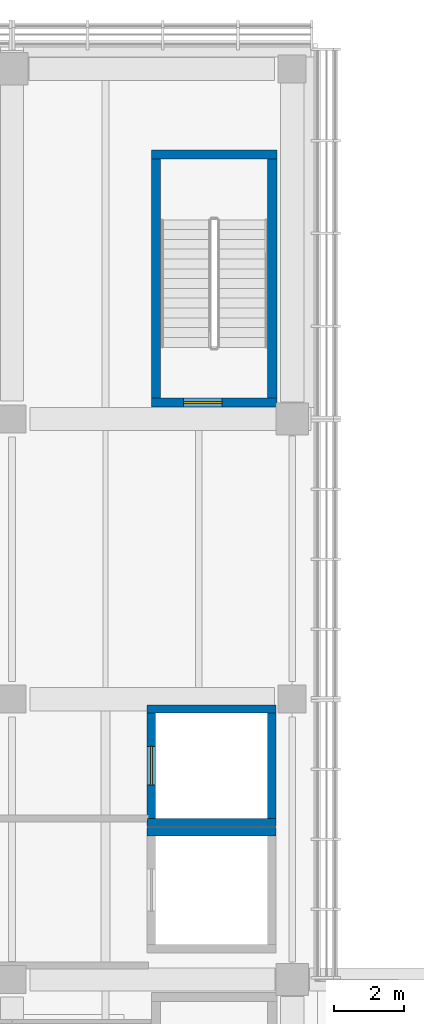
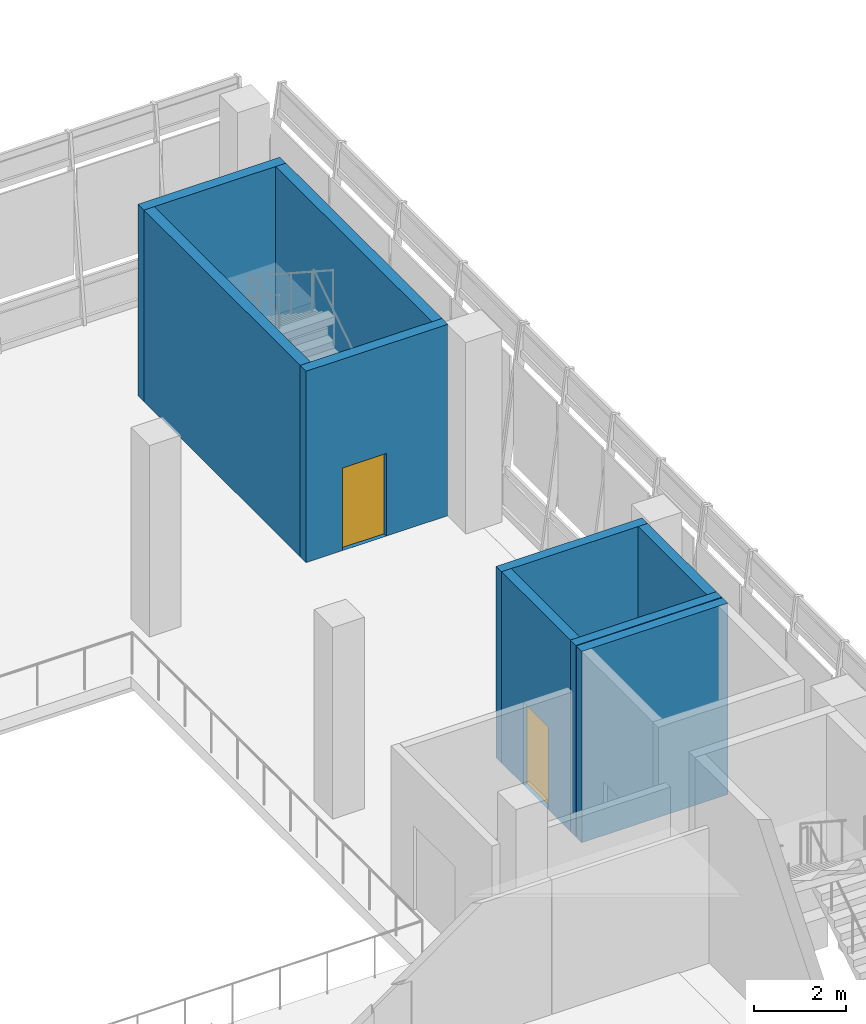
# One storey, part 37 of 61: 9 walls, 2 doors, 2 openings.
"""IFC4 building model written with IfcOpenShell, lengths in metres."""

from ifc_helpers import new_model, si_unit, direction, frame, frame_2d, origin, place, context, subcontext, project, spatial, rectangle, extrude, material, layer, layer_set, type_object, element, fill, save


model = new_model("IFC4")

# Units and contexts
model_context = context("Model", 3, precision=1e-05, world=origin(), true_north=direction((0.0, 1.0)))
body_context = subcontext(model_context, "Body", "Model", "MODEL_VIEW")
ifc_project = project(units=[si_unit("LENGTHUNIT", "METRE"), si_unit("AREAUNIT", "SQUARE_METRE"), si_unit("VOLUMEUNIT", "CUBIC_METRE"), si_unit("PLANEANGLEUNIT", "RADIAN"), si_unit("MASSUNIT", "GRAM", prefix="KILO")], contexts=[model_context])

# Site, building, storey
site_placement = place(None, origin())
site = spatial("IfcSite", under=ifc_project, at=site_placement, CompositionType="ELEMENT")
building_placement = place(site_placement, origin())
building = spatial("IfcBuilding", under=site, at=building_placement, Name="Pecanmere Concourse Central Library", CompositionType="ELEMENT")
storey_placement = place(building_placement, frame((0.0, 0.0, 5.39990234375)))
storey = spatial("IfcBuildingStorey", under=building, at=storey_placement, Name="L02", CompositionType="ELEMENT", Elevation=5.39990234375)

# Walls
ifc_material_1 = material(Name="Concrete C40/50", Category="concrete")
ifc_layer_1 = layer(ifc_material_1, 0.239990234375, Name="WALL_SLD_240")
ifc_layer_set_1 = layer_set([ifc_layer_1], Name="Concrete C40/50")
wall_type_1 = type_object("IfcWallType", Name="WALL_SLD_240", PredefinedType="SOLIDWALL", material=ifc_layer_set_1)
for number, where, z_axis, x_axis, name in (
    (1, (99.860107421875, 102.219970703125, 0.0), (0.0, 0.0, 1.0), (1.0, 0.0, 0.0), "Hoistway Wall LF-02 L02-N"),
    (2, (99.860107421875, 102.47998046875, 0.0), (0.0, 0.0, 1.0), (1.0, 0.0, 0.0), "Hoistway Wall LP-02 L02-S"),
    (3, (99.860107421875, 105.719970703125, 0.0), (0.0, 0.0, 1.0), (1.0, 0.0, 0.0), "Hoistway Wall LP-02 L02-N"),
):
    element("IfcWall", number, at=place(storey_placement, frame(where, z_axis=z_axis, x_axis=x_axis)), inside=storey, type_object=wall_type_1, Name=name, PredefinedType="SOLIDWALL", context=body_context, shape_type="SweptSolid", body=[
        extrude(rectangle(XDim=3.679931640625, YDim=0.239990234375, at=frame_2d((1.83984375, 0.0))), origin(), (0.0, 0.0, 1.0), 5.10009765625),
    ])

# Wall, opening, door
wall_1_placement = place(storey_placement, frame((99.97998046875, 102.60009765625, 0.0), z_axis=(0.0, 0.0, 1.0), x_axis=(0.0, 1.0, 0.0)))
wall_1 = element("IfcWall", 4, at=wall_1_placement, inside=storey, type_object=wall_type_1, Name="Hoistway Wall LP-02 L02-W", PredefinedType="SOLIDWALL", context=body_context, shape_type="SweptSolid", body=[
    extrude(rectangle(XDim=3.0, YDim=0.239990234375, at=frame_2d((1.5, 0.0))), origin(), (0.0, 0.0, 1.0), 5.10009765625),
])
opening_1_placement = place(wall_1_placement, frame((0.949951171875, 0.0, 0.0)))
opening_1 = element("IfcOpeningElement", 5, at=opening_1_placement, cuts=wall_1, Name="Opening LD-01", PredefinedType="OPENING", context=body_context, shape_type="SweptSolid", body=[
    extrude(rectangle(XDim=1.10009765625, YDim=2.199951171875, at=frame_2d((0.550048828125, 1.10009765625))), frame((0.0, 0.1318359375, 0.0), z_axis=(0.0, -1.0, 0.0), x_axis=(1.0, 0.0, 0.0)), (0.0, 0.0, 1.0), 0.263916015625),
])
ifc_material_2 = material(Name="Brushed stainless steel Grade 316", Category="steel")
door_type_1 = type_object("IfcDoorType", Name="LD-01", OperationType="DOUBLE_DOOR_SLIDING", PredefinedType="DOOR", material=ifc_material_2)
door_1_placement = place(opening_1_placement, origin())
door_1 = element("IfcDoor", 6, at=door_1_placement, inside=storey, type_object=door_type_1, Name="LD-LP-02-L02", OperationType="DOUBLE_DOOR_SLIDING", OverallHeight=2.199951171875, OverallWidth=1.10009765625, PredefinedType="DOOR", context=body_context, shape_type="SweptSolid", body=[
    extrude(rectangle(XDim=1.10009765625, YDim=2.199951171875, at=frame_2d((0.550048828125, 1.10009765625))), frame((0.0, 0.02490234375, 0.0), z_axis=(0.0, -1.0, 0.0), x_axis=(1.0, 0.0, 0.0)), (0.0, 0.0, 1.0), 0.050048828125),
])
fill(opening_1, door_1)

# Wall
wall_2_placement = place(storey_placement, frame((103.419921875, 102.60009765625, 0.0), z_axis=(0.0, 0.0, 1.0), x_axis=(0.0, 1.0, 0.0)))
element("IfcWall", 7, at=wall_2_placement, inside=storey, type_object=wall_type_1, Name="Hoistway Wall LP-02 L02-E", PredefinedType="SOLIDWALL", context=body_context, shape_type="SweptSolid", body=[
    extrude(rectangle(XDim=3.0, YDim=0.239990234375, at=frame_2d((1.5, 0.0))), origin(), (0.0, 0.0, 1.0), 5.10009765625),
])

# Wall, opening, door
ifc_material_3 = material(Name="Concrete C40/50", Category="concrete")
ifc_layer_2 = layer(ifc_material_3, 0.260009765625, Name="WALL_SLD_260")
ifc_layer_set_2 = layer_set([ifc_layer_2], Name="Concrete C40/50")
wall_type_2 = type_object("IfcWallType", Name="WALL_SLD_260", PredefinedType="SOLIDWALL", material=ifc_layer_set_2)
wall_3_placement = place(storey_placement, frame((99.97998046875, 114.469970703125, 0.0), z_axis=(0.0, 0.0, 1.0), x_axis=(1.0, 0.0, 0.0)))
wall_3 = element("IfcWall", 8, at=wall_3_placement, inside=storey, type_object=wall_type_2, Name="Core C4 South Wall L02", PredefinedType="SOLIDWALL", context=body_context, shape_type="SweptSolid", body=[
    extrude(rectangle(XDim=3.580078125, YDim=0.260009765625, at=frame_2d((1.7900390625, 0.0))), origin(), (0.0, 0.0, 1.0), 5.10009765625),
])
opening_2_placement = place(wall_3_placement, frame((0.919921875, 0.0, 0.0)))
opening_2 = element("IfcOpeningElement", 9, at=opening_2_placement, cuts=wall_3, Name="Opening FD-01", PredefinedType="OPENING", context=body_context, shape_type="SweptSolid", body=[
    extrude(rectangle(XDim=1.10009765625, YDim=2.199951171875, at=frame_2d((0.550048828125, 1.10009765625))), frame((0.0, 0.14208984375, 0.0), z_axis=(0.0, -1.0, 0.0), x_axis=(1.0, 0.0, 0.0)), (0.0, 0.0, 1.0), 0.283935546875),
])
ifc_material_4 = material(Name="Painted architectural steel ASTM A36", Category="steel")
door_type_2 = type_object("IfcDoorType", Name="FD-01", OperationType="SINGLE_SWING_LEFT", PredefinedType="DOOR", material=ifc_material_4)
door_2_placement = place(opening_2_placement, origin())
door_2 = element("IfcDoor", 10, at=door_2_placement, inside=storey, type_object=door_type_2, Name="D-027", OperationType="SINGLE_SWING_LEFT", OverallHeight=2.199951171875, OverallWidth=1.10009765625, PredefinedType="DOOR", context=body_context, shape_type="SweptSolid", body=[
    extrude(rectangle(XDim=1.10009765625, YDim=2.199951171875, at=frame_2d((0.550048828125, 1.10009765625))), frame((0.0, 0.02490234375, 0.0), z_axis=(0.0, -1.0, 0.0), x_axis=(1.0, 0.0, 0.0)), (0.0, 0.0, 1.0), 0.050048828125),
])
fill(opening_2, door_2)

# Walls
wall_4_placement = place(storey_placement, frame((99.97998046875, 121.550048828125, 0.0), z_axis=(0.0, 0.0, 1.0), x_axis=(1.0, 0.0, 0.0)))
element("IfcWall", 11, at=wall_4_placement, inside=storey, type_object=wall_type_2, Name="Core C4 North Wall L02", PredefinedType="SOLIDWALL", context=body_context, shape_type="SweptSolid", body=[
    extrude(rectangle(XDim=3.580078125, YDim=0.260009765625, at=frame_2d((1.7900390625, 0.0))), origin(), (0.0, 0.0, 1.0), 5.10009765625),
])
for number, where, z_axis, x_axis, name in (
    (12, (100.110107421875, 114.60009765625, 0.0), (0.0, 0.0, 1.0), (0.0, 1.0, 0.0), "Core C4 W Wall L02"),
    (13, (103.429931640625, 114.60009765625, 0.0), (0.0, 0.0, 1.0), (0.0, 1.0, 0.0), "Core C4 E Wall L02"),
):
    element("IfcWall", number, at=place(storey_placement, frame(where, z_axis=z_axis, x_axis=x_axis)), inside=storey, type_object=wall_type_2, Name=name, PredefinedType="SOLIDWALL", context=body_context, shape_type="SweptSolid", body=[
        extrude(rectangle(XDim=6.81982421875, YDim=0.260009765625, at=frame_2d((3.409912109375, 0.0))), origin(), (0.0, 0.0, 1.0), 5.10009765625),
    ])

save(model, "model.ifc")
